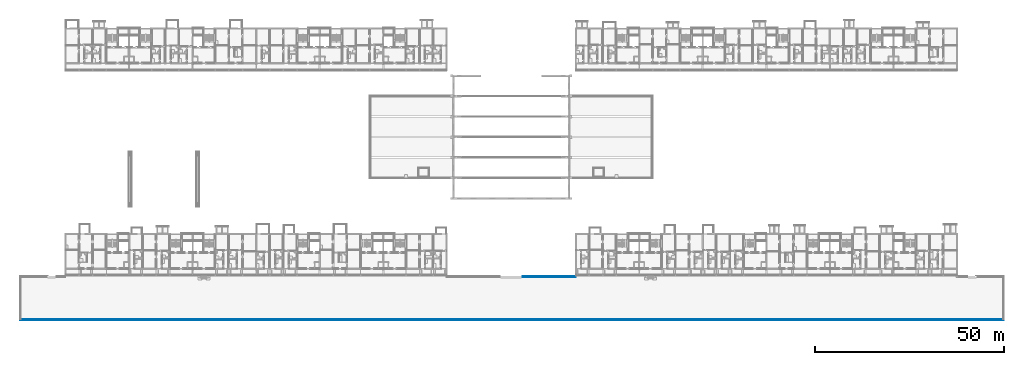
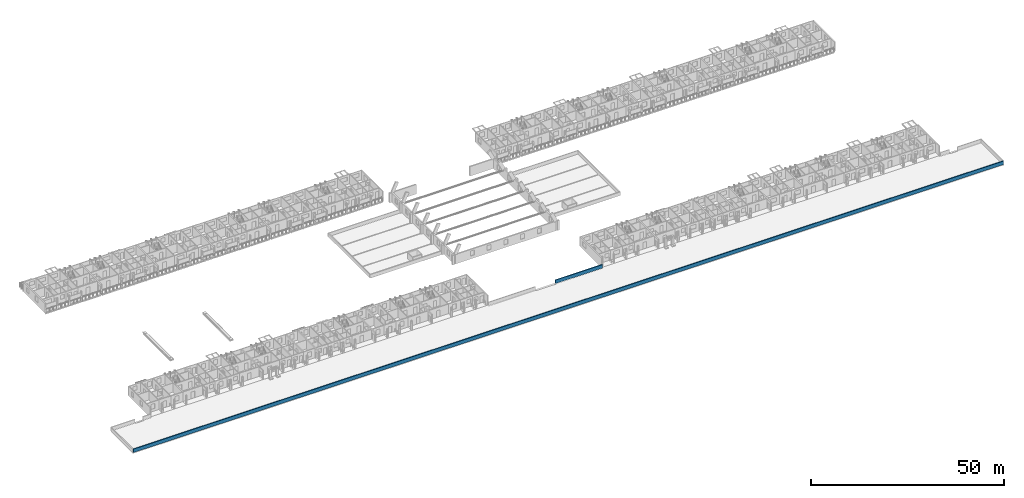
# One storey, part 56 of 115: 2 walls.
"""IFC4 building model written with IfcOpenShell, lengths in metres."""

from ifc_helpers import new_model, si_unit, direction, frame, frame_2d, origin, place, context, subcontext, project, spatial, rectangle, extrude, material, layer, layer_set, type_object, element, save


model = new_model("IFC4")

# Units and contexts
model_context = context("Model", 3, precision=1e-05, world=origin(), true_north=direction((0.0, 1.0)))
body_context = subcontext(model_context, "Body", "Model", "MODEL_VIEW")
ifc_project = project(units=[si_unit("LENGTHUNIT", "METRE"), si_unit("AREAUNIT", "SQUARE_METRE"), si_unit("VOLUMEUNIT", "CUBIC_METRE"), si_unit("PLANEANGLEUNIT", "RADIAN"), si_unit("MASSUNIT", "GRAM", prefix="KILO")], contexts=[model_context])

# Site, building, storey
site_placement = place(None, origin())
site = spatial("IfcSite", under=ifc_project, at=site_placement, CompositionType="ELEMENT")
building_placement = place(site_placement, origin())
building = spatial("IfcBuilding", under=site, at=building_placement, Name="Ridgestep Commons", CompositionType="ELEMENT")
storey_placement = place(building_placement, frame((0.0, 0.0, 6.0)))
storey = spatial("IfcBuildingStorey", under=building, at=storey_placement, Name="L02", CompositionType="ELEMENT", Elevation=6.0)

# Walls
ifc_material = material(Name="Precast concrete C40/50", Category="concrete")
ifc_layer = layer(ifc_material, 0.25)
ifc_layer_set = layer_set([ifc_layer], Name="Community terrace parapet 250")
wall_type = type_object("IfcWallType", Name="Community terrace parapet 250", PredefinedType="PARAPET", material=ifc_layer_set)
wall_1_placement = place(storey_placement, frame((132.800048828125, 11.550048828125, 0.0), z_axis=(0.0, 0.0, 1.0), x_axis=(1.0, 0.0, 0.0)))
element("IfcWall", 1, at=wall_1_placement, inside=storey, type_object=wall_type, Name="Terrace parapet", PredefinedType="PARAPET", context=body_context, shape_type="SweptSolid", body=[
    extrude(rectangle(XDim=14.0, YDim=0.25, at=frame_2d((7.0, 0.0))), origin(), (0.0, 0.0, 1.0), 1.10009765625),
])
wall_2_placement = place(storey_placement, frame((0.1298828125, 0.1298828125, 0.0), z_axis=(0.0, 0.0, 1.0), x_axis=(1.0, 0.0, 0.0)))
element("IfcWall", 2, at=wall_2_placement, inside=storey, type_object=wall_type, Name="Deck parapet", PredefinedType="PARAPET", context=body_context, shape_type="SweptSolid", body=[
    extrude(rectangle(XDim=259.740234375, YDim=0.25, at=frame_2d((129.8701171875, 0.0))), origin(), (0.0, 0.0, 1.0), 1.10009765625),
])

save(model, "model.ifc")
